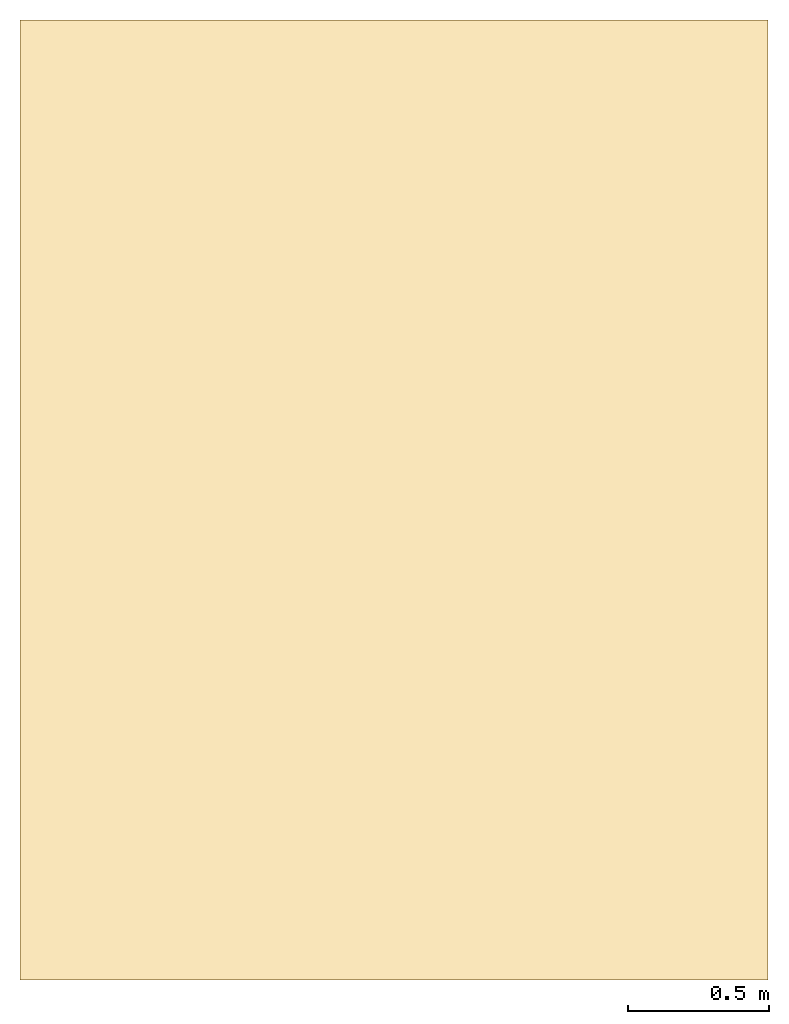
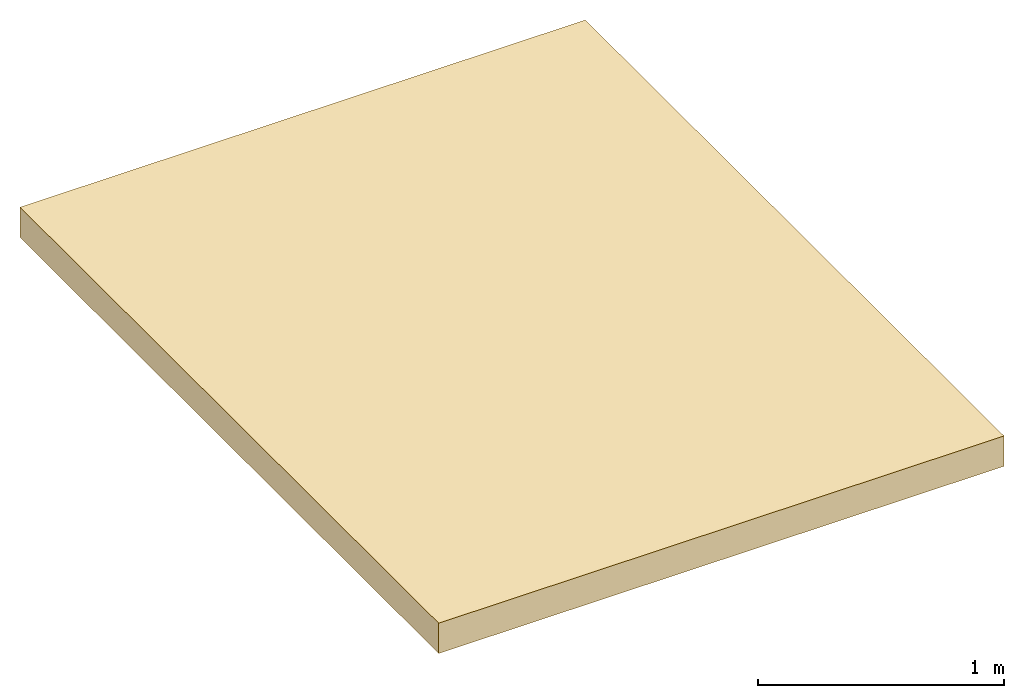
# One storey: 1 covering.
"""IFC4 building model written with IfcOpenShell, lengths in metres."""

from ifc_helpers import new_model, si_unit, direction, frame, origin, place, context, subcontext, project, spatial, polyline, outline, extrude, material, layer, layer_set, type_object, element, save


model = new_model("IFC4")

# Units and contexts
model_context = context("Model", 3, precision=1e-05, world=origin(), true_north=direction((0.0, 1.0)))
body_context = subcontext(model_context, "Body", "Model", "MODEL_VIEW")
ifc_project = project(units=[si_unit("LENGTHUNIT", "METRE"), si_unit("AREAUNIT", "SQUARE_METRE"), si_unit("VOLUMEUNIT", "CUBIC_METRE"), si_unit("PLANEANGLEUNIT", "RADIAN"), si_unit("MASSUNIT", "GRAM", prefix="KILO")], contexts=[model_context])

# Site, building, storey
site_placement = place(None, origin())
site = spatial("IfcSite", under=ifc_project, at=site_placement, CompositionType="ELEMENT")
building_placement = place(site_placement, origin())
building = spatial("IfcBuilding", under=site, at=building_placement, Name="Immortelle Media Tower", CompositionType="ELEMENT")
storey_placement = place(building_placement, frame((0.0, 0.0, 315.199951171875)))
storey = spatial("IfcBuildingStorey", under=building, at=storey_placement, Name="Roof 2", CompositionType="ELEMENT", Elevation=315.199951171875)

# Covering
ifc_material = material(Name="Pale aluminium insulated roof panel", Category="aluminium")
ifc_layer = layer(ifc_material, 0.14990234375)
ifc_layer_set = layer_set([ifc_layer], Name="Pale aluminium insulated roof panel")
covering_type = type_object("IfcCoveringType", Name="Lift shaft roof covering 150", PredefinedType="ROOFING", material=ifc_layer_set)
covering_placement = place(storey_placement, origin())
element("IfcCovering", 1, at=covering_placement, inside=storey, type_object=covering_type, Name="Lift shaft roof FF3", PredefinedType="ROOFING", context=body_context, shape_type="SweptSolid", body=[
    extrude(outline(polyline([(20.699951171875, 10.39990234375), (23.35009765625, 10.39990234375), (23.35009765625, 13.800048828125), (20.699951171875, 13.800048828125), (20.699951171875, 10.39990234375)])), origin(), (0.0, 0.0, 1.0), 0.150146484375),
])

save(model, "model.ifc")
